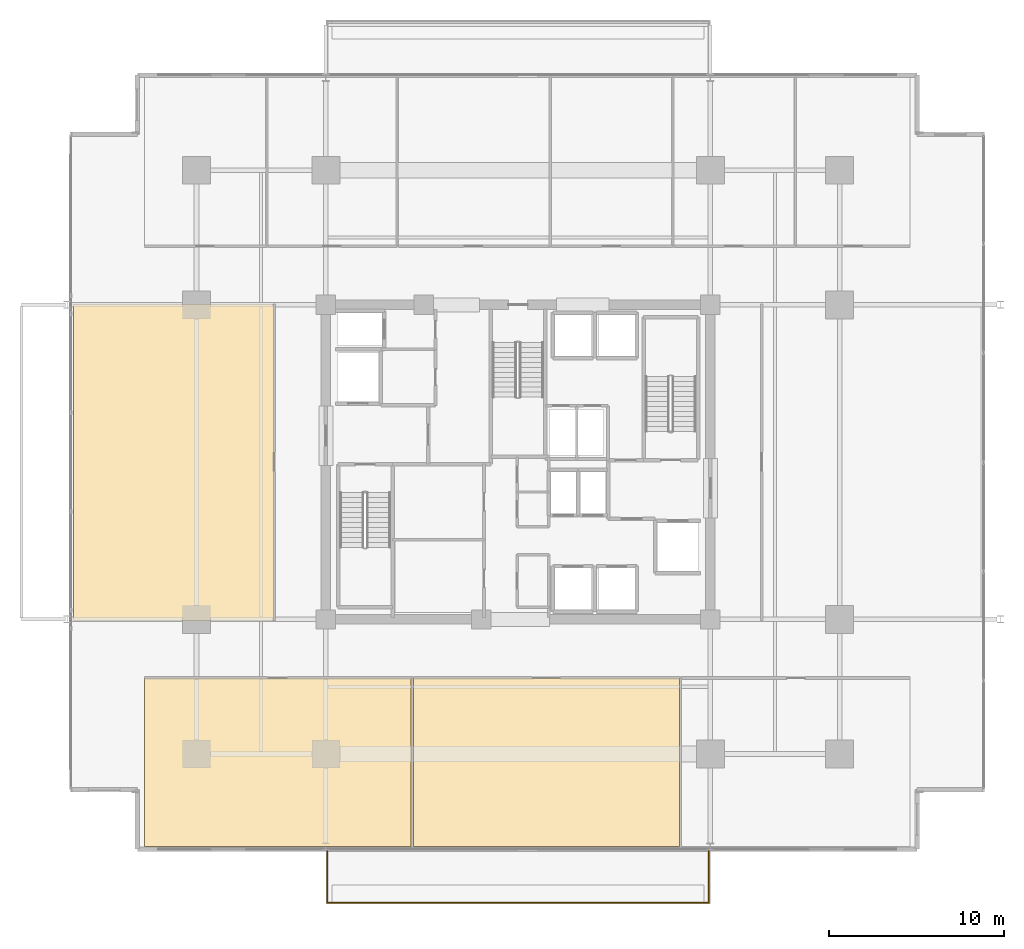
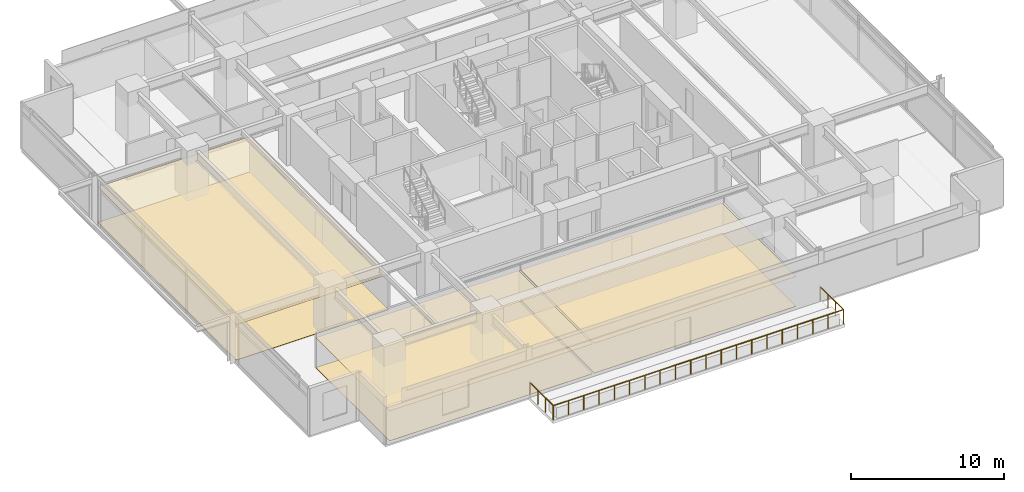
# One storey, part 19 of 22: 6 coverings, 1 railing.
"""IFC4 building model written with IfcOpenShell, lengths in metres."""

from ifc_helpers import new_model, si_unit, direction, frame, origin, origin_2d, place, context, subcontext, project, spatial, polyline, circle, outline, extrude, material, layer, layer_set, type_object, element, save


model = new_model("IFC4")

# Units and contexts
model_context = context("Model", 3, precision=1e-05, world=origin(), true_north=direction((0.0, 1.0)))
body_context = subcontext(model_context, "Body", "Model", "MODEL_VIEW")
ifc_project = project(units=[si_unit("LENGTHUNIT", "METRE"), si_unit("AREAUNIT", "SQUARE_METRE"), si_unit("VOLUMEUNIT", "CUBIC_METRE"), si_unit("PLANEANGLEUNIT", "RADIAN"), si_unit("MASSUNIT", "GRAM", prefix="KILO")], contexts=[model_context])

# Site, building, storey
site_placement = place(None, origin())
site = spatial("IfcSite", under=ifc_project, at=site_placement, CompositionType="ELEMENT")
building_placement = place(site_placement, origin())
building = spatial("IfcBuilding", under=site, at=building_placement, Name="Kovane Verandah Tower", CompositionType="ELEMENT")
storey_placement = place(building_placement, frame((0.0, 0.0, 156.39990234375)))
storey = spatial("IfcBuildingStorey", under=building, at=storey_placement, Name="L36", CompositionType="ELEMENT", Elevation=156.39990234375)

# Coverings
ifc_material_1 = material(Name="Perforated Acoustic Mineral-Fibre Ceiling Tile", Category="gypsum")
ifc_layer_1 = layer(ifc_material_1, 0.02490234375)
ifc_layer_set_1 = layer_set([ifc_layer_1], Name="Perforated Acoustic Mineral-Fibre Ceiling Tile")
covering_type_1 = type_object("IfcCoveringType", Name="CV-CEIL-25", PredefinedType="CEILING", material=ifc_layer_set_1)
covering_1_placement = place(storey_placement, frame((0.0, 0.0, 2.380126953125)))
element("IfcCovering", 1, at=covering_1_placement, inside=storey, type_object=covering_type_1, Name="L36 Executive Office S1 Acoustic Ceiling", PredefinedType="CEILING", context=body_context, shape_type="SweptSolid", body=[
    extrude(outline(polyline([(18.61962890625, 5.50390625), (33.887451171875, 5.50390625), (33.887451171875, 15.14990234375), (18.61962890625, 15.14990234375), (18.61962890625, 5.50390625)])), origin(), (0.0, 0.0, 1.0), 0.02490234375),
])
covering_2_placement = place(storey_placement, frame((0.0, 0.0, 2.380126953125)))
element("IfcCovering", 2, at=covering_2_placement, inside=storey, type_object=covering_type_1, Name="L36 Client Boardroom S2 Acoustic Ceiling", PredefinedType="CEILING", context=body_context, shape_type="SweptSolid", body=[
    extrude(outline(polyline([(34.027587890625, 5.50390625), (49.225341796875, 5.50390625), (49.225341796875, 15.14990234375), (34.027587890625, 15.14990234375), (34.027587890625, 5.50390625)])), origin(), (0.0, 0.0, 1.0), 0.02490234375),
])
covering_3_placement = place(storey_placement, frame((0.0, 0.0, 2.8251953125)))
element("IfcCovering", 3, at=covering_3_placement, inside=storey, type_object=covering_type_1, Name="L36 Focus Studio W1 Acoustic Ceiling", PredefinedType="CEILING", context=body_context, shape_type="SweptSolid", body=[
    extrude(outline(polyline([(14.569580078125, 18.449951171875), (26.050048828125, 18.449951171875), (26.050048828125, 36.550048828125), (14.569580078125, 36.550048828125), (14.569580078125, 18.449951171875)])), origin(), (0.0, 0.0, 1.0), 0.02490234375),
])
ifc_material_2 = material(Name="Polished Terrazzo and Raised-Access Carpet Tile Finish", Category="concrete")
ifc_layer_2 = layer(ifc_material_2, 0.030029296875)
ifc_layer_set_2 = layer_set([ifc_layer_2], Name="Polished Terrazzo and Raised-Access Carpet Tile Finish")
covering_type_2 = type_object("IfcCoveringType", Name="CV-FLOR-30", PredefinedType="FLOORING", material=ifc_layer_set_2)
covering_4_placement = place(storey_placement, origin())
element("IfcCovering", 4, at=covering_4_placement, inside=storey, type_object=covering_type_2, Name="L36 Executive Office S1 Floor Finish", PredefinedType="FLOORING", context=body_context, shape_type="SweptSolid", body=[
    extrude(outline(polyline([(18.61962890625, 5.50390625), (33.887451171875, 5.50390625), (33.887451171875, 15.14990234375), (18.61962890625, 15.14990234375), (18.61962890625, 5.50390625)])), origin(), (0.0, 0.0, 1.0), 0.030029296875),
])
covering_5_placement = place(storey_placement, origin())
element("IfcCovering", 5, at=covering_5_placement, inside=storey, type_object=covering_type_2, Name="L36 Client Boardroom S2 Floor Finish", PredefinedType="FLOORING", context=body_context, shape_type="SweptSolid", body=[
    extrude(outline(polyline([(34.027587890625, 5.50390625), (49.225341796875, 5.50390625), (49.225341796875, 15.14990234375), (34.027587890625, 15.14990234375), (34.027587890625, 5.50390625)])), origin(), (0.0, 0.0, 1.0), 0.030029296875),
])
covering_6_placement = place(storey_placement, origin())
element("IfcCovering", 6, at=covering_6_placement, inside=storey, type_object=covering_type_2, Name="L36 Focus Studio W1 Floor Finish", PredefinedType="FLOORING", context=body_context, shape_type="SweptSolid", body=[
    extrude(outline(polyline([(14.569580078125, 18.449951171875), (26.050048828125, 18.449951171875), (26.050048828125, 36.550048828125), (14.569580078125, 36.550048828125), (14.569580078125, 18.449951171875)])), origin(), (0.0, 0.0, 1.0), 0.030029296875),
])

# Railing
ifc_material_3 = material(Name="Laminated Glass and Pale-Champagne Stainless Balustrade", Category="glass")
railing_type = type_object("IfcRailingType", Name="RL-BAL-1150", PredefinedType="BALUSTRADE", material=ifc_material_3)
railing_placement = place(storey_placement, frame((29.080078125, 5.3037109375, 0.0)))
element("IfcRailing", 7, at=railing_placement, inside=storey, type_object=railing_type, Name="L36 S Verandah Glass Balustrade", PredefinedType="BALUSTRADE", context=body_context, shape_type="SweptSolid", body=[
    extrude(circle(Radius=0.02392578125, at=origin_2d()), frame((0.0, 0.0, 1.1259765625), z_axis=(0.0, -1.0, 0.0), x_axis=(1.0, 0.0, 0.0)), (0.0, 0.0, 1.0), 3.02001953125),
    extrude(circle(Radius=0.02392578125, at=origin_2d()), frame((0.0, -3.02001953125, 1.1259765625), z_axis=(1.0, 0.0, 0.0), x_axis=(0.0, 1.0, 0.0)), (0.0, 0.0, 1.0), 21.83984375),
    extrude(circle(Radius=0.02392578125, at=origin_2d()), frame((21.83984375, -3.02001953125, 1.1259765625), z_axis=(0.0, 1.0, 0.0), x_axis=(-1.0, 0.0, 0.0)), (0.0, 0.0, 1.0), 3.02001953125),
    extrude(circle(Radius=0.02099609375, at=origin_2d()), origin(), (0.0, 0.0, 1.0), 1.101806640625),
    extrude(circle(Radius=0.02099609375, at=origin_2d()), frame((0.0, -1.006591796875, 0.0)), (0.0, 0.0, 1.0), 1.101806640625),
    extrude(circle(Radius=0.02099609375, at=origin_2d()), frame((0.0, -2.013427734375, 0.0)), (0.0, 0.0, 1.0), 1.101806640625),
    extrude(circle(Radius=0.02099609375, at=origin_2d()), frame((0.0, -3.02001953125, 0.0)), (0.0, 0.0, 1.0), 1.101806640625),
    extrude(circle(Radius=0.02099609375, at=origin_2d()), frame((1.1494140625, -3.02001953125, 0.0)), (0.0, 0.0, 1.0), 1.101806640625),
    extrude(circle(Radius=0.02099609375, at=origin_2d()), frame((2.298828125, -3.02001953125, 0.0)), (0.0, 0.0, 1.0), 1.101806640625),
    extrude(circle(Radius=0.02099609375, at=origin_2d()), frame((3.448486328125, -3.02001953125, 0.0)), (0.0, 0.0, 1.0), 1.101806640625),
    extrude(circle(Radius=0.02099609375, at=origin_2d()), frame((4.597900390625, -3.02001953125, 0.0)), (0.0, 0.0, 1.0), 1.101806640625),
    extrude(circle(Radius=0.02099609375, at=origin_2d()), frame((5.747314453125, -3.02001953125, 0.0)), (0.0, 0.0, 1.0), 1.101806640625),
    extrude(circle(Radius=0.02099609375, at=origin_2d()), frame((6.896728515625, -3.02001953125, 0.0)), (0.0, 0.0, 1.0), 1.101806640625),
    extrude(circle(Radius=0.02099609375, at=origin_2d()), frame((8.046142578125, -3.02001953125, 0.0)), (0.0, 0.0, 1.0), 1.101806640625),
    extrude(circle(Radius=0.02099609375, at=origin_2d()), frame((9.19580078125, -3.02001953125, 0.0)), (0.0, 0.0, 1.0), 1.101806640625),
    extrude(circle(Radius=0.02099609375, at=origin_2d()), frame((10.34521484375, -3.02001953125, 0.0)), (0.0, 0.0, 1.0), 1.101806640625),
    extrude(circle(Radius=0.02099609375, at=origin_2d()), frame((11.49462890625, -3.02001953125, 0.0)), (0.0, 0.0, 1.0), 1.101806640625),
    extrude(circle(Radius=0.02099609375, at=origin_2d()), frame((12.64404296875, -3.02001953125, 0.0)), (0.0, 0.0, 1.0), 1.101806640625),
    extrude(circle(Radius=0.02099609375, at=origin_2d()), frame((13.793701171875, -3.02001953125, 0.0)), (0.0, 0.0, 1.0), 1.101806640625),
    extrude(circle(Radius=0.02099609375, at=origin_2d()), frame((14.943115234375, -3.02001953125, 0.0)), (0.0, 0.0, 1.0), 1.101806640625),
    extrude(circle(Radius=0.02099609375, at=origin_2d()), frame((16.092529296875, -3.02001953125, 0.0)), (0.0, 0.0, 1.0), 1.101806640625),
    extrude(circle(Radius=0.02099609375, at=origin_2d()), frame((17.241943359375, -3.02001953125, 0.0)), (0.0, 0.0, 1.0), 1.101806640625),
    extrude(circle(Radius=0.02099609375, at=origin_2d()), frame((18.391357421875, -3.02001953125, 0.0)), (0.0, 0.0, 1.0), 1.101806640625),
    extrude(circle(Radius=0.02099609375, at=origin_2d()), frame((19.541015625, -3.02001953125, 0.0)), (0.0, 0.0, 1.0), 1.101806640625),
    extrude(circle(Radius=0.02099609375, at=origin_2d()), frame((20.6904296875, -3.02001953125, 0.0)), (0.0, 0.0, 1.0), 1.101806640625),
    extrude(circle(Radius=0.02099609375, at=origin_2d()), frame((21.83984375, -3.02001953125, 0.0)), (0.0, 0.0, 1.0), 1.101806640625),
    extrude(circle(Radius=0.02099609375, at=origin_2d()), frame((21.83984375, -2.013427734375, 0.0)), (0.0, 0.0, 1.0), 1.101806640625),
    extrude(circle(Radius=0.02099609375, at=origin_2d()), frame((21.83984375, -1.006591796875, 0.0)), (0.0, 0.0, 1.0), 1.101806640625),
    extrude(circle(Radius=0.02099609375, at=origin_2d()), frame((21.83984375, 0.0, 0.0)), (0.0, 0.0, 1.0), 1.101806640625),
])

save(model, "model.ifc")
